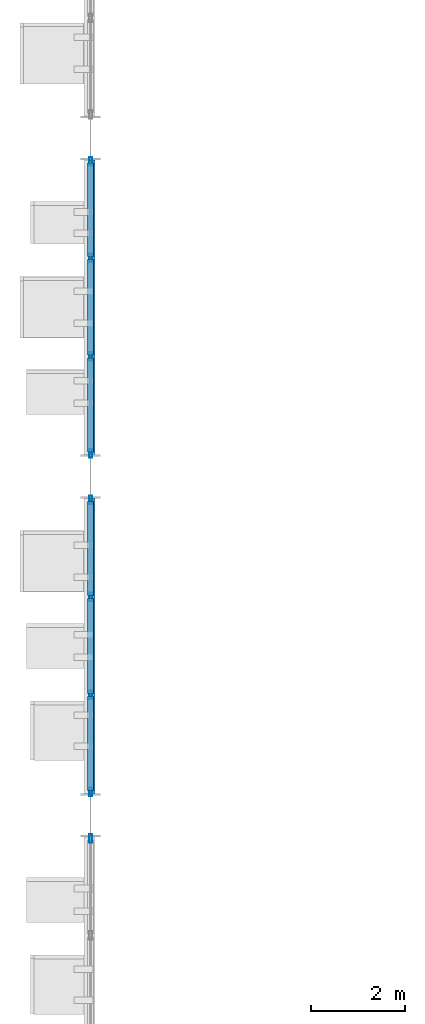
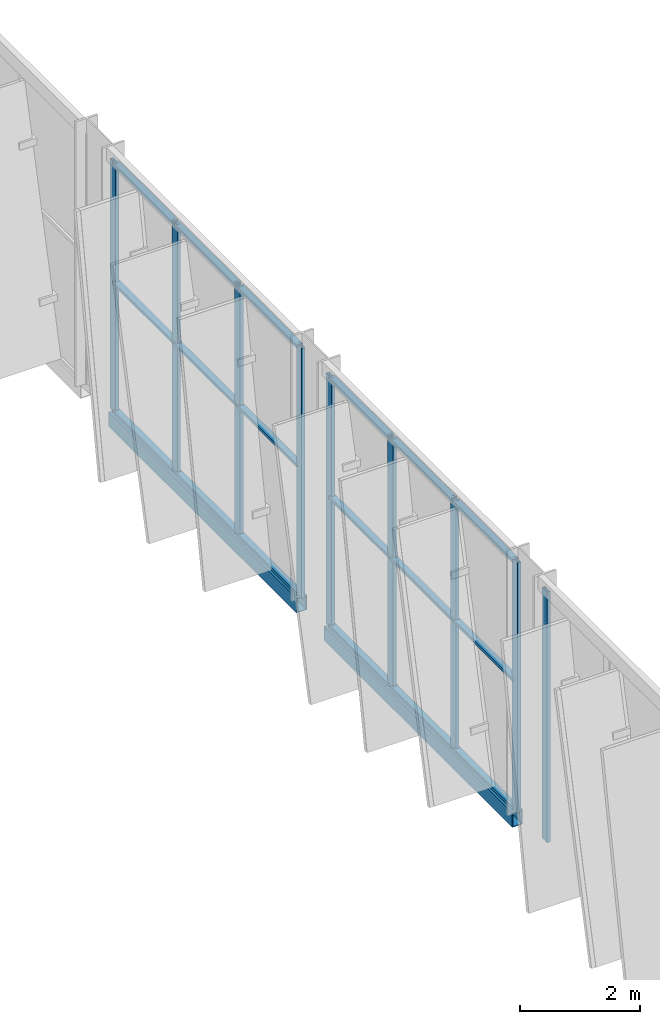
# One storey, part 32 of 189: 27 members, 2 beams, 3 elements without a shape of their own.
"""IFC4 building model written with IfcOpenShell, lengths in metres."""

from ifc_helpers import new_model, si_unit, direction, frame, origin, origin_2d, place, context, subcontext, project, spatial, hollow_rectangle, extrude, material, layer, layer_set, material_profile, profile_set, type_object, element, aggregate, save


model = new_model("IFC4")

# Units and contexts
model_context = context("Model", 3, precision=1e-05, world=origin(), true_north=direction((0.0, 1.0)))
body_context = subcontext(model_context, "Body", "Model", "MODEL_VIEW")
ifc_project = project(units=[si_unit("LENGTHUNIT", "METRE"), si_unit("AREAUNIT", "SQUARE_METRE"), si_unit("VOLUMEUNIT", "CUBIC_METRE"), si_unit("PLANEANGLEUNIT", "RADIAN"), si_unit("MASSUNIT", "GRAM", prefix="KILO")], contexts=[model_context])

# Site, building, storey
site_placement = place(None, origin())
site = spatial("IfcSite", under=ifc_project, at=site_placement, CompositionType="ELEMENT")
building_placement = place(site_placement, origin())
building = spatial("IfcBuilding", under=site, at=building_placement, Name="Celestram Park Convention Centre", CompositionType="ELEMENT")
storey_placement = place(building_placement, frame((0.0, 0.0, 5.39990234375)))
storey = spatial("IfcBuildingStorey", under=building, at=storey_placement, Name="L01", CompositionType="ELEMENT", Elevation=5.39990234375)

# Curtain wall, member
ifc_material_1 = material(Name="Anodised Aluminium Alloy 6063-T6", Category="aluminium")
ifc_layer = layer(ifc_material_1, 0.179931640625)
ifc_layer_set = layer_set([ifc_layer], Name="Anodised Aluminium Alloy 6063-T6")
curtain_wall_type = type_object("IfcCurtainWallType", Name="ARC-CW-627X510", PredefinedType="NOTDEFINED", material=ifc_layer_set)
curtain_wall_1_placement = place(storey_placement, origin())
curtain_wall_1 = element("IfcCurtainWall", 1, at=curtain_wall_1_placement, inside=storey, type_object=curtain_wall_type, Name="Unitised curtain wall CU-L01-117", PredefinedType="NOTDEFINED")
ifc_material_profile_1 = material_profile(ifc_material_1, hollow_rectangle(XDim=0.06494140625, YDim=0.179931640625, WallThickness=0.00390625, at=origin_2d()), Name="ALU65X180X4")
ifc_profile_set_1 = profile_set([ifc_material_profile_1], Name="Anodised Aluminium Alloy 6063-T6")
member_type_1 = type_object("IfcMemberType", Name="ARC-CWM-150", PredefinedType="MULLION", material=ifc_profile_set_1)
member_1_placement = place(storey_placement, frame((0.0, 64.303466796875, 0.0), z_axis=(0.0, 0.0, 1.0), x_axis=(-1.0, 0.0, 0.0)))
member_1 = element("IfcMember", 2, at=member_1_placement, type_object=member_type_1, Name="CW-62X51 mullion 4", PredefinedType="MULLION", context=body_context, shape_type="SweptSolid", body=[
    extrude(hollow_rectangle(XDim=0.06494140625, YDim=0.179931640625, WallThickness=0.00390625, at=origin_2d()), origin(), (0.0, 0.0, 1.0), 5.10009765625),
])
aggregate(curtain_wall_1, [member_1])

# Curtain wall, members
curtain_wall_2_placement = place(storey_placement, origin())
curtain_wall_2 = element("IfcCurtainWall", 3, at=curtain_wall_2_placement, inside=storey, type_object=curtain_wall_type, Name="Unitised curtain wall CU-L01-118", PredefinedType="NOTDEFINED")
member_2_placement = place(storey_placement, frame((0.0, 65.29638671875, 0.0), z_axis=(0.0, 0.0, 1.0), x_axis=(-1.0, 0.0, 0.0)))
member_2 = element("IfcMember", 4, at=member_2_placement, type_object=member_type_1, Name="CW-62X51 mullion 1", PredefinedType="MULLION", context=body_context, shape_type="SweptSolid", body=[
    extrude(hollow_rectangle(XDim=0.06494140625, YDim=0.179931640625, WallThickness=0.00390625, at=origin_2d()), origin(), (0.0, 0.0, 1.0), 5.10009765625),
])
member_3_placement = place(storey_placement, frame((0.0, 67.354736328125, 0.0), z_axis=(0.0, 0.0, 1.0), x_axis=(-1.0, 0.0, 0.0)))
member_3 = element("IfcMember", 5, at=member_3_placement, type_object=member_type_1, Name="CW-62X51 mullion 2", PredefinedType="MULLION", context=body_context, shape_type="SweptSolid", body=[
    extrude(hollow_rectangle(XDim=0.06494140625, YDim=0.179931640625, WallThickness=0.00390625, at=origin_2d()), origin(), (0.0, 0.0, 1.0), 5.10009765625),
])
member_4_placement = place(storey_placement, frame((0.0, 69.4453125, 0.0), z_axis=(0.0, 0.0, 1.0), x_axis=(-1.0, 0.0, 0.0)))
member_4 = element("IfcMember", 6, at=member_4_placement, type_object=member_type_1, Name="CW-62X51 mullion 3", PredefinedType="MULLION", context=body_context, shape_type="SweptSolid", body=[
    extrude(hollow_rectangle(XDim=0.06494140625, YDim=0.179931640625, WallThickness=0.00390625, at=origin_2d()), origin(), (0.0, 0.0, 1.0), 5.10009765625),
])
member_5_placement = place(storey_placement, frame((0.0, 71.50341796875, 0.0), z_axis=(0.0, 0.0, 1.0), x_axis=(-1.0, 0.0, 0.0)))
member_5 = element("IfcMember", 7, at=member_5_placement, type_object=member_type_1, Name="CW-62X51 mullion 4", PredefinedType="MULLION", context=body_context, shape_type="SweptSolid", body=[
    extrude(hollow_rectangle(XDim=0.06494140625, YDim=0.179931640625, WallThickness=0.00390625, at=origin_2d()), origin(), (0.0, 0.0, 1.0), 5.10009765625),
])

curtain_wall_3_placement = place(storey_placement, origin())
curtain_wall_3 = element("IfcCurtainWall", 8, at=curtain_wall_3_placement, inside=storey, type_object=curtain_wall_type, Name="Unitised curtain wall CU-L01-119", PredefinedType="NOTDEFINED")
member_6_placement = place(storey_placement, frame((0.0, 72.49658203125, 0.0), z_axis=(0.0, 0.0, 1.0), x_axis=(-1.0, 0.0, 0.0)))
member_6 = element("IfcMember", 9, at=member_6_placement, type_object=member_type_1, Name="CW-62X51 mullion 1", PredefinedType="MULLION", context=body_context, shape_type="SweptSolid", body=[
    extrude(hollow_rectangle(XDim=0.06494140625, YDim=0.179931640625, WallThickness=0.00390625, at=origin_2d()), origin(), (0.0, 0.0, 1.0), 5.10009765625),
])
member_7_placement = place(storey_placement, frame((0.0, 74.5546875, 0.0), z_axis=(0.0, 0.0, 1.0), x_axis=(-1.0, 0.0, 0.0)))
member_7 = element("IfcMember", 10, at=member_7_placement, type_object=member_type_1, Name="CW-62X51 mullion 2", PredefinedType="MULLION", context=body_context, shape_type="SweptSolid", body=[
    extrude(hollow_rectangle(XDim=0.06494140625, YDim=0.179931640625, WallThickness=0.00390625, at=origin_2d()), origin(), (0.0, 0.0, 1.0), 5.10009765625),
])
member_8_placement = place(storey_placement, frame((0.0, 76.645263671875, 0.0), z_axis=(0.0, 0.0, 1.0), x_axis=(-1.0, 0.0, 0.0)))
member_8 = element("IfcMember", 11, at=member_8_placement, type_object=member_type_1, Name="CW-62X51 mullion 3", PredefinedType="MULLION", context=body_context, shape_type="SweptSolid", body=[
    extrude(hollow_rectangle(XDim=0.06494140625, YDim=0.179931640625, WallThickness=0.00390625, at=origin_2d()), origin(), (0.0, 0.0, 1.0), 5.10009765625),
])
member_9_placement = place(storey_placement, frame((0.0, 78.70361328125, 0.0), z_axis=(0.0, 0.0, 1.0), x_axis=(-1.0, 0.0, 0.0)))
member_9 = element("IfcMember", 12, at=member_9_placement, type_object=member_type_1, Name="CW-62X51 mullion 4", PredefinedType="MULLION", context=body_context, shape_type="SweptSolid", body=[
    extrude(hollow_rectangle(XDim=0.06494140625, YDim=0.179931640625, WallThickness=0.00390625, at=origin_2d()), origin(), (0.0, 0.0, 1.0), 5.10009765625),
])

# Member
ifc_material_profile_2 = material_profile(ifc_material_1, hollow_rectangle(XDim=0.1201171875, YDim=0.06005859375, WallThickness=0.0029296875, at=origin_2d()), Name="ALU120X60X3")
ifc_profile_set_2 = profile_set([ifc_material_profile_2], Name="Anodised Aluminium Alloy 6063-T6")
member_type_2 = type_object("IfcMemberType", Name="ARC-CWT-120", PredefinedType="USERDEFINED", material=ifc_profile_set_2)
member_10_placement = place(storey_placement, frame((0.0, 65.3291015625, 0.030029296875), z_axis=(0.0, 1.0, 0.0), x_axis=(-1.0, 0.0, 0.0)))
member_10 = element("IfcMember", 13, at=member_10_placement, type_object=member_type_2, Name="CW-62X51 transom 1.1", ObjectType="TRANSOM", PredefinedType="USERDEFINED", context=body_context, shape_type="SweptSolid", body=[
    extrude(hollow_rectangle(XDim=0.1201171875, YDim=0.06005859375, WallThickness=0.0029296875, at=origin_2d()), origin(), (0.0, 0.0, 1.0), 1.9931640625),
])

member_11_placement = place(storey_placement, frame((0.0, 65.3291015625, 2.650146484375), z_axis=(0.0, 1.0, 0.0), x_axis=(-1.0, 0.0, 0.0)))
member_11 = element("IfcMember", 14, at=member_11_placement, type_object=member_type_2, Name="CW-62X51 transom 1.2", ObjectType="TRANSOM", PredefinedType="USERDEFINED", context=body_context, shape_type="SweptSolid", body=[
    extrude(hollow_rectangle(XDim=0.1201171875, YDim=0.06005859375, WallThickness=0.0029296875, at=origin_2d()), origin(), (0.0, 0.0, 1.0), 1.9931640625),
])

member_12_placement = place(storey_placement, frame((0.0, 65.3291015625, 5.070068359375), z_axis=(0.0, 1.0, 0.0), x_axis=(-1.0, 0.0, 0.0)))
member_12 = element("IfcMember", 15, at=member_12_placement, type_object=member_type_2, Name="CW-62X51 transom 1.3", ObjectType="TRANSOM", PredefinedType="USERDEFINED", context=body_context, shape_type="SweptSolid", body=[
    extrude(hollow_rectangle(XDim=0.1201171875, YDim=0.06005859375, WallThickness=0.0029296875, at=origin_2d()), origin(), (0.0, 0.0, 1.0), 1.9931640625),
])

member_13_placement = place(storey_placement, frame((0.0, 67.38720703125, 0.030029296875), z_axis=(0.0, 1.0, 0.0), x_axis=(-1.0, 0.0, 0.0)))
member_13 = element("IfcMember", 16, at=member_13_placement, type_object=member_type_2, Name="CW-62X51 transom 2.1", ObjectType="TRANSOM", PredefinedType="USERDEFINED", context=body_context, shape_type="SweptSolid", body=[
    extrude(hollow_rectangle(XDim=0.1201171875, YDim=0.06005859375, WallThickness=0.0029296875, at=origin_2d()), origin(), (0.0, 0.0, 1.0), 2.025634765625),
])

member_14_placement = place(storey_placement, frame((0.0, 67.38720703125, 2.650146484375), z_axis=(0.0, 1.0, 0.0), x_axis=(-1.0, 0.0, 0.0)))
member_14 = element("IfcMember", 17, at=member_14_placement, type_object=member_type_2, Name="CW-62X51 transom 2.2", ObjectType="TRANSOM", PredefinedType="USERDEFINED", context=body_context, shape_type="SweptSolid", body=[
    extrude(hollow_rectangle(XDim=0.1201171875, YDim=0.06005859375, WallThickness=0.0029296875, at=origin_2d()), origin(), (0.0, 0.0, 1.0), 2.025634765625),
])

member_15_placement = place(storey_placement, frame((0.0, 67.38720703125, 5.070068359375), z_axis=(0.0, 1.0, 0.0), x_axis=(-1.0, 0.0, 0.0)))
member_15 = element("IfcMember", 18, at=member_15_placement, type_object=member_type_2, Name="CW-62X51 transom 2.3", ObjectType="TRANSOM", PredefinedType="USERDEFINED", context=body_context, shape_type="SweptSolid", body=[
    extrude(hollow_rectangle(XDim=0.1201171875, YDim=0.06005859375, WallThickness=0.0029296875, at=origin_2d()), origin(), (0.0, 0.0, 1.0), 2.025634765625),
])

member_16_placement = place(storey_placement, frame((0.0, 69.477783203125, 0.030029296875), z_axis=(0.0, 1.0, 0.0), x_axis=(-1.0, 0.0, 0.0)))
member_16 = element("IfcMember", 19, at=member_16_placement, type_object=member_type_2, Name="CW-62X51 transom 3.1", ObjectType="TRANSOM", PredefinedType="USERDEFINED", context=body_context, shape_type="SweptSolid", body=[
    extrude(hollow_rectangle(XDim=0.1201171875, YDim=0.06005859375, WallThickness=0.0029296875, at=origin_2d()), origin(), (0.0, 0.0, 1.0), 1.9931640625),
])

member_17_placement = place(storey_placement, frame((0.0, 69.477783203125, 2.650146484375), z_axis=(0.0, 1.0, 0.0), x_axis=(-1.0, 0.0, 0.0)))
member_17 = element("IfcMember", 20, at=member_17_placement, type_object=member_type_2, Name="CW-62X51 transom 3.2", ObjectType="TRANSOM", PredefinedType="USERDEFINED", context=body_context, shape_type="SweptSolid", body=[
    extrude(hollow_rectangle(XDim=0.1201171875, YDim=0.06005859375, WallThickness=0.0029296875, at=origin_2d()), origin(), (0.0, 0.0, 1.0), 1.9931640625),
])

member_18_placement = place(storey_placement, frame((0.0, 69.477783203125, 5.070068359375), z_axis=(0.0, 1.0, 0.0), x_axis=(-1.0, 0.0, 0.0)))
member_18 = element("IfcMember", 21, at=member_18_placement, type_object=member_type_2, Name="CW-62X51 transom 3.3", ObjectType="TRANSOM", PredefinedType="USERDEFINED", context=body_context, shape_type="SweptSolid", body=[
    extrude(hollow_rectangle(XDim=0.1201171875, YDim=0.06005859375, WallThickness=0.0029296875, at=origin_2d()), origin(), (0.0, 0.0, 1.0), 1.9931640625),
])

aggregate(curtain_wall_2, [member_2, member_3, member_4, member_5, member_10, member_11, member_12, member_13, member_14, member_15, member_16, member_17, member_18])

member_19_placement = place(storey_placement, frame((0.0, 72.529052734375, 0.030029296875), z_axis=(0.0, 1.0, 0.0), x_axis=(-1.0, 0.0, 0.0)))
member_19 = element("IfcMember", 22, at=member_19_placement, type_object=member_type_2, Name="CW-62X51 transom 1.1", ObjectType="TRANSOM", PredefinedType="USERDEFINED", context=body_context, shape_type="SweptSolid", body=[
    extrude(hollow_rectangle(XDim=0.1201171875, YDim=0.06005859375, WallThickness=0.0029296875, at=origin_2d()), origin(), (0.0, 0.0, 1.0), 1.9931640625),
])

member_20_placement = place(storey_placement, frame((0.0, 72.529052734375, 2.650146484375), z_axis=(0.0, 1.0, 0.0), x_axis=(-1.0, 0.0, 0.0)))
member_20 = element("IfcMember", 23, at=member_20_placement, type_object=member_type_2, Name="CW-62X51 transom 1.2", ObjectType="TRANSOM", PredefinedType="USERDEFINED", context=body_context, shape_type="SweptSolid", body=[
    extrude(hollow_rectangle(XDim=0.1201171875, YDim=0.06005859375, WallThickness=0.0029296875, at=origin_2d()), origin(), (0.0, 0.0, 1.0), 1.9931640625),
])

member_21_placement = place(storey_placement, frame((0.0, 72.529052734375, 5.070068359375), z_axis=(0.0, 1.0, 0.0), x_axis=(-1.0, 0.0, 0.0)))
member_21 = element("IfcMember", 24, at=member_21_placement, type_object=member_type_2, Name="CW-62X51 transom 1.3", ObjectType="TRANSOM", PredefinedType="USERDEFINED", context=body_context, shape_type="SweptSolid", body=[
    extrude(hollow_rectangle(XDim=0.1201171875, YDim=0.06005859375, WallThickness=0.0029296875, at=origin_2d()), origin(), (0.0, 0.0, 1.0), 1.9931640625),
])

member_22_placement = place(storey_placement, frame((0.0, 74.587158203125, 0.030029296875), z_axis=(0.0, 1.0, 0.0), x_axis=(-1.0, 0.0, 0.0)))
member_22 = element("IfcMember", 25, at=member_22_placement, type_object=member_type_2, Name="CW-62X51 transom 2.1", ObjectType="TRANSOM", PredefinedType="USERDEFINED", context=body_context, shape_type="SweptSolid", body=[
    extrude(hollow_rectangle(XDim=0.1201171875, YDim=0.06005859375, WallThickness=0.0029296875, at=origin_2d()), origin(), (0.0, 0.0, 1.0), 2.025634765625),
])

member_23_placement = place(storey_placement, frame((0.0, 74.587158203125, 2.650146484375), z_axis=(0.0, 1.0, 0.0), x_axis=(-1.0, 0.0, 0.0)))
member_23 = element("IfcMember", 26, at=member_23_placement, type_object=member_type_2, Name="CW-62X51 transom 2.2", ObjectType="TRANSOM", PredefinedType="USERDEFINED", context=body_context, shape_type="SweptSolid", body=[
    extrude(hollow_rectangle(XDim=0.1201171875, YDim=0.06005859375, WallThickness=0.0029296875, at=origin_2d()), origin(), (0.0, 0.0, 1.0), 2.025634765625),
])

member_24_placement = place(storey_placement, frame((0.0, 74.587158203125, 5.070068359375), z_axis=(0.0, 1.0, 0.0), x_axis=(-1.0, 0.0, 0.0)))
member_24 = element("IfcMember", 27, at=member_24_placement, type_object=member_type_2, Name="CW-62X51 transom 2.3", ObjectType="TRANSOM", PredefinedType="USERDEFINED", context=body_context, shape_type="SweptSolid", body=[
    extrude(hollow_rectangle(XDim=0.1201171875, YDim=0.06005859375, WallThickness=0.0029296875, at=origin_2d()), origin(), (0.0, 0.0, 1.0), 2.025634765625),
])

member_25_placement = place(storey_placement, frame((0.0, 76.677734375, 0.030029296875), z_axis=(0.0, 1.0, 0.0), x_axis=(-1.0, 0.0, 0.0)))
member_25 = element("IfcMember", 28, at=member_25_placement, type_object=member_type_2, Name="CW-62X51 transom 3.1", ObjectType="TRANSOM", PredefinedType="USERDEFINED", context=body_context, shape_type="SweptSolid", body=[
    extrude(hollow_rectangle(XDim=0.1201171875, YDim=0.06005859375, WallThickness=0.0029296875, at=origin_2d()), origin(), (0.0, 0.0, 1.0), 1.9931640625),
])

member_26_placement = place(storey_placement, frame((0.0, 76.677734375, 2.650146484375), z_axis=(0.0, 1.0, 0.0), x_axis=(-1.0, 0.0, 0.0)))
member_26 = element("IfcMember", 29, at=member_26_placement, type_object=member_type_2, Name="CW-62X51 transom 3.2", ObjectType="TRANSOM", PredefinedType="USERDEFINED", context=body_context, shape_type="SweptSolid", body=[
    extrude(hollow_rectangle(XDim=0.1201171875, YDim=0.06005859375, WallThickness=0.0029296875, at=origin_2d()), origin(), (0.0, 0.0, 1.0), 1.9931640625),
])

member_27_placement = place(storey_placement, frame((0.0, 76.677734375, 5.070068359375), z_axis=(0.0, 1.0, 0.0), x_axis=(-1.0, 0.0, 0.0)))
member_27 = element("IfcMember", 30, at=member_27_placement, type_object=member_type_2, Name="CW-62X51 transom 3.3", ObjectType="TRANSOM", PredefinedType="USERDEFINED", context=body_context, shape_type="SweptSolid", body=[
    extrude(hollow_rectangle(XDim=0.1201171875, YDim=0.06005859375, WallThickness=0.0029296875, at=origin_2d()), origin(), (0.0, 0.0, 1.0), 1.9931640625),
])

aggregate(curtain_wall_3, [member_6, member_7, member_8, member_9, member_19, member_20, member_21, member_22, member_23, member_24, member_25, member_26, member_27])

# Beams
ifc_material_2 = material(Name="Steel ASTM A500 Grade C", Category="steel")
ifc_material_profile_3 = material_profile(ifc_material_2, hollow_rectangle(XDim=0.199951171875, YDim=0.300048828125, WallThickness=0.011962890625, at=origin_2d()), Name="HSS300X200X12")
ifc_profile_set_3 = profile_set([ifc_material_profile_3], Name="Steel ASTM A500 Grade C")
beam_type = type_object("IfcBeamType", Name="STR-SPN-HSS300X200", PredefinedType="SPANDREL", material=ifc_profile_set_3)
for number, where, z_axis, x_axis, name in (
    (31, (0.0, 65.263916015625, -0.14990234375), (0.0, 1.0, 0.0), (-1.0, 0.0, 0.0), "High-bay perimeter spandrel SPB-L01-007"),
    (32, (0.0, 72.464111328125, -0.14990234375), (0.0, 1.0, 0.0), (-1.0, 0.0, 0.0), "High-bay perimeter spandrel SPB-L01-008"),
):
    element("IfcBeam", number, at=place(storey_placement, frame(where, z_axis=z_axis, x_axis=x_axis)), inside=storey, type_object=beam_type, Name=name, PredefinedType="SPANDREL", context=body_context, shape_type="SweptSolid", body=[
        extrude(hollow_rectangle(XDim=0.199951171875, YDim=0.300048828125, WallThickness=0.011962890625, at=origin_2d()), origin(), (0.0, 0.0, 1.0), 6.27197265625),
    ])

save(model, "model.ifc")
